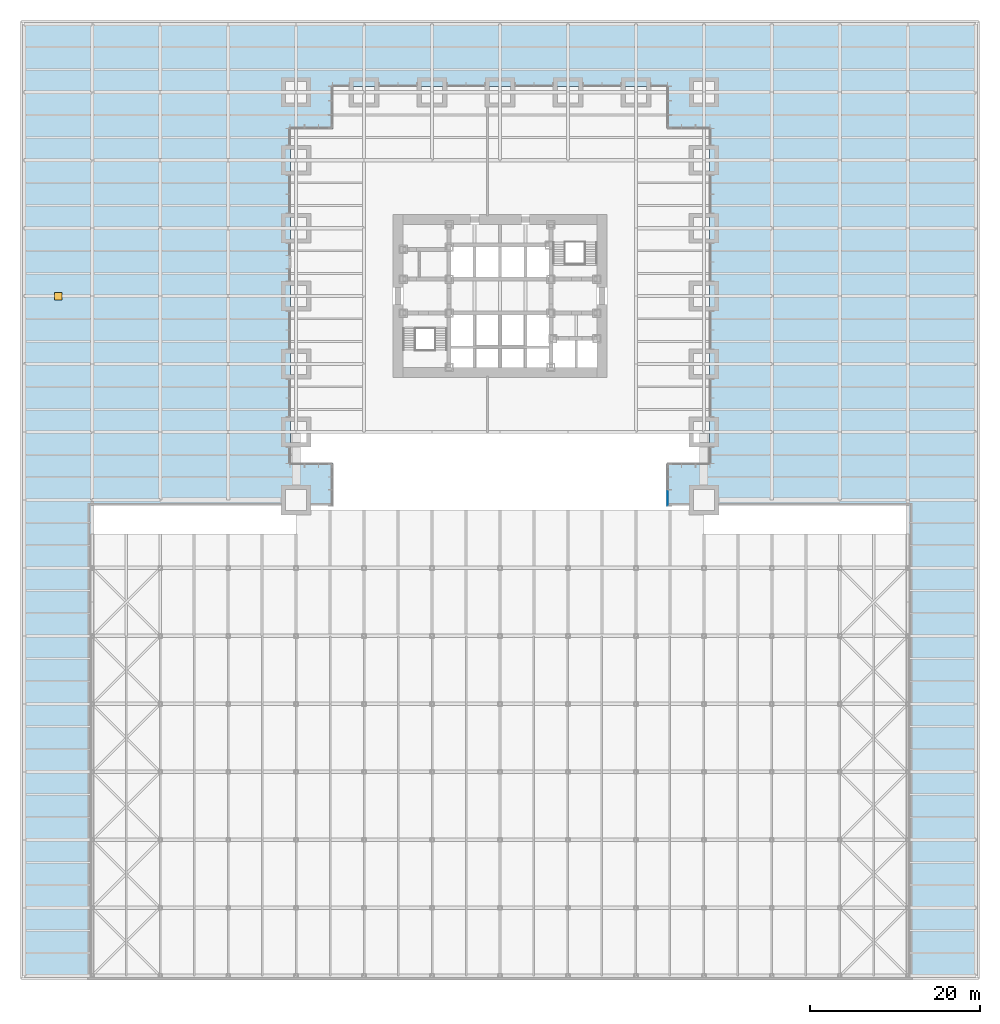
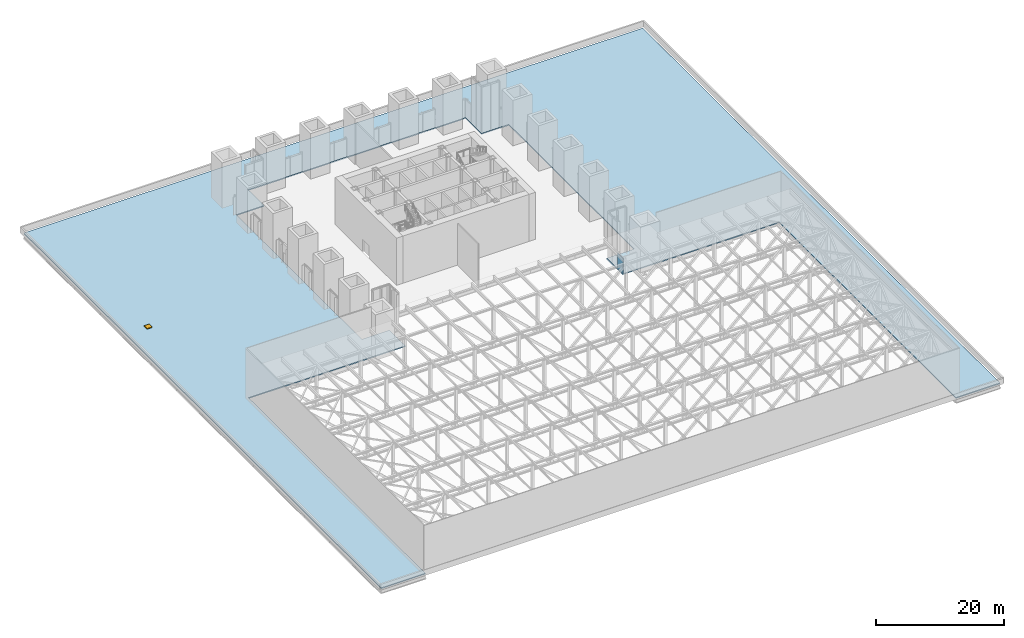
# One storey, part 13 of 20: 1 door, 1 plate, 1 slab, 1 opening, 1 element without a shape of its own.
"""IFC4 building model written with IfcOpenShell, lengths in metres."""

import ifcopenshell
import ifcopenshell.guid

model = None  # the IFC model being written
_history = None  # IfcOwnerHistory: only IFC2X3 demands one
_inside = {}  # id of a spatial element -> (the spatial element, [elements in it])
_under = {}  # id of a project, library or spatial element -> (it, [spatial elements below it])
_declared = {}  # id of a project -> (the project, [libraries it declares])
_typed = {}  # id of a type object -> (the type object, [elements of that type])
_made_of = {}  # id of a material, layer set ... -> (it, [elements and type objects made of it])


def new_model(schema):
    """Start an empty IFC model of exactly this schema.

    Asked for "IFC4X3", IfcOpenShell would pick the latest addendum, in which some entities
    have other attributes; the version numbers below select the first issue.
    IFC2X3 requires an IfcOwnerHistory on every rooted entity: one is made here for all.
    """
    global model, _history
    if schema == "IFC4X3":
        model = ifcopenshell.file(schema_version=(4, 3, 0, 0))
    else:
        model = ifcopenshell.file(schema=schema)
    _inside.clear()
    _under.clear()
    _declared.clear()
    _typed.clear()
    _made_of.clear()
    _history = None
    if model.schema == "IFC2X3":
        org = make("IfcOrganization", Name="unknown")
        user = make(
            "IfcPersonAndOrganization",
            ThePerson=make("IfcPerson", FamilyName="unknown"),
            TheOrganization=org,
        )
        app = make(
            "IfcApplication",
            ApplicationDeveloper=org,
            Version="unknown",
            ApplicationFullName="unknown",
            ApplicationIdentifier="unknown",
        )
        _history = make(
            "IfcOwnerHistory",
            OwningUser=user,
            OwningApplication=app,
            ChangeAction="ADDED",
            CreationDate=0,
        )
    return model


def make(cls, **values):
    """One entity of the class cls with the attributes given. An attribute that is None is left unset."""
    return model.create_entity(
        cls, **{name: value for name, value in values.items() if value is not None}
    )


def rooted(cls, **values):
    """An entity with a GlobalId (a new one), such as an element, a storey or a relation."""
    return make(cls, GlobalId=ifcopenshell.guid.new(), OwnerHistory=_history, **values)


def si_unit(unit_type, name, prefix=None):
    """IfcSIUnit, for example si_unit("LENGTHUNIT", "METRE", prefix="MILLI")."""
    return make("IfcSIUnit", UnitType=unit_type, Prefix=prefix, Name=name)


def assignment(units):
    """IfcUnitAssignment: the units of a project."""
    return None if units is None else make("IfcUnitAssignment", Units=units)


def point(xyz):
    """IfcCartesianPoint."""
    return None if xyz is None else make("IfcCartesianPoint", Coordinates=xyz)


def direction(xyz):
    """IfcDirection."""
    return None if xyz is None else make("IfcDirection", DirectionRatios=xyz)


def frame(location, z_axis=None, x_axis=None):
    """IfcAxis2Placement3D, a coordinate frame: its origin and axes. An axis left out is left unset."""
    return make(
        "IfcAxis2Placement3D",
        Location=point(location),
        Axis=direction(z_axis),
        RefDirection=direction(x_axis),
    )


def frame_2d(location, x_axis=None):
    """IfcAxis2Placement2D, a coordinate frame in the plane: its origin and x axis."""
    return make(
        "IfcAxis2Placement2D", Location=point(location), RefDirection=direction(x_axis)
    )


def origin():
    """The frame at (0, 0, 0) with its axes left unset."""
    return frame((0.0, 0.0, 0.0))


def origin_2d():
    """The frame at (0, 0) in the plane with its x axis left unset."""
    return frame_2d((0.0, 0.0))


def place(relative_to, where):
    """IfcLocalPlacement: puts the frame where relative to a parent placement (None: the world)."""
    return make(
        "IfcLocalPlacement", PlacementRelTo=relative_to, RelativePlacement=where
    )


def context(
    kind, dimensions, precision=None, world=None, true_north=None, identifier=None
):
    """IfcGeometricRepresentationContext, for example the 3D "Model" context."""
    return make(
        "IfcGeometricRepresentationContext",
        ContextIdentifier=identifier,
        ContextType=kind,
        CoordinateSpaceDimension=dimensions,
        Precision=precision,
        WorldCoordinateSystem=world,
        TrueNorth=true_north,
    )


def subcontext(parent, identifier, kind, view, scale=None):
    """IfcGeometricRepresentationSubContext, for example "Body" below "Model"."""
    return make(
        "IfcGeometricRepresentationSubContext",
        ContextIdentifier=identifier,
        ContextType=kind,
        ParentContext=parent,
        TargetScale=scale,
        TargetView=view,
    )


def project(units=None, contexts=None):
    """IfcProject with its units and contexts."""
    return rooted(
        "IfcProject",
        Name="project",
        RepresentationContexts=contexts,
        UnitsInContext=assignment(units),
    )


def spatial(cls, under=None, at=None, **own):
    """A site, building, storey or space (cls), placed at a placement, below another one or the project."""
    s = rooted(cls, ObjectPlacement=at, **own)
    if under is not None:
        _under.setdefault(under.id(), (under, []))[1].append(s)
    return s


def polyline(points):
    """IfcPolyline through the points."""
    return make("IfcPolyline", Points=[point(p) for p in points])


def profile(cls, at=None, kind="AREA", **sizes):
    """A parametric profile (cls). Its sizes go by their IFC names, for example OverallWidth=200.0."""
    return make(cls, ProfileType=kind, Position=at, **sizes)


def rectangle(**sizes):
    """IfcRectangleProfileDef."""
    return profile("IfcRectangleProfileDef", **sizes)


def outline(outer, holes=None, kind="AREA"):
    """IfcArbitraryClosedProfileDef: a profile drawn as a closed curve; with holes, ...WithVoids."""
    if holes is None:
        return make("IfcArbitraryClosedProfileDef", ProfileType=kind, OuterCurve=outer)
    return make(
        "IfcArbitraryProfileDefWithVoids",
        ProfileType=kind,
        OuterCurve=outer,
        InnerCurves=holes,
    )


def extrude(swept, where, along, depth):
    """IfcExtrudedAreaSolid: the profile swept, set in the frame where, extruded along a direction by depth."""
    return make(
        "IfcExtrudedAreaSolid",
        SweptArea=swept,
        Position=where,
        ExtrudedDirection=direction(along),
        Depth=depth,
    )


def shape(context_of_items, identifier, shape_type, items):
    """IfcShapeRepresentation: the items that make up one representation, for example the "Body"."""
    return make(
        "IfcShapeRepresentation",
        ContextOfItems=context_of_items,
        RepresentationIdentifier=identifier,
        RepresentationType=shape_type,
        Items=items,
    )


def material(Name=None, Category=None):
    """IfcMaterial."""
    return make("IfcMaterial", Name=Name, Category=Category)


def layer(
    of_material, thickness, ventilated=None, Name=None, Category=None, Priority=None
):
    """IfcMaterialLayer: one layer of a wall or slab, of a material (None: an air gap)."""
    return make(
        "IfcMaterialLayer",
        Material=of_material,
        LayerThickness=thickness,
        IsVentilated=ventilated,
        Name=Name,
        Category=Category,
        Priority=Priority,
    )


def layer_set(layers, Name=None):
    """IfcMaterialLayerSet."""
    return make("IfcMaterialLayerSet", MaterialLayers=layers, LayerSetName=Name)


def made_of(thing, what):
    """Note that an element or type object is made of a material, layer set ...; save() writes the relation."""
    if what is not None:
        _made_of.setdefault(what.id(), (what, []))[1].append(thing)
    return thing


def type_object(cls, material=None, **own):
    """A type object (cls), such as IfcWallType, which elements share."""
    return made_of(rooted(cls, **own), material)


def element(
    cls,
    number,
    at=None,
    inside=None,
    cuts=None,
    type_object=None,
    material=None,
    context=None,
    identifier="Body",
    shape_type=None,
    held_by="IfcProductDefinitionShape",
    body=None,
    shapes=None,
    **own,
):
    """One element of the class cls, such as IfcWall. Its Tag is "e" and its number.

    at: its placement. inside: the storey or other place that contains it. cuts: it is an
    opening in that element (IfcRelVoidsElement). A single representation is given by context,
    identifier, shape_type and body (its items); several are given by shapes. held_by: the class
    of the entity that holds the representations. save() writes the other relations.
    """
    e = rooted(cls, Tag="e%d" % number, ObjectPlacement=at, **own)
    if body is not None:
        shapes = [shape(context, identifier, shape_type, body)]
    if shapes is not None:
        e.Representation = make(held_by, Representations=shapes)
    if inside is not None:
        _inside.setdefault(inside.id(), (inside, []))[1].append(e)
    if cuts is not None:
        rooted(
            "IfcRelVoidsElement", RelatingBuildingElement=cuts, RelatedOpeningElement=e
        )
    if type_object is not None:
        _typed.setdefault(type_object.id(), (type_object, []))[1].append(e)
    return made_of(e, material)


def fill(opening, filler):
    """IfcRelFillsElement: the door or window that sits in an opening."""
    return rooted(
        "IfcRelFillsElement",
        RelatingOpeningElement=opening,
        RelatedBuildingElement=filler,
    )


def aggregate(whole, parts):
    """IfcRelAggregates: a whole, such as a stair, and the parts it consists of."""
    return rooted("IfcRelAggregates", RelatingObject=whole, RelatedObjects=parts)


def save(model, path):
    """Write the relations noted so far, then the file.

    IfcRelAggregates (storeys below a building ...), IfcRelContainedInSpatialStructure (elements
    in a storey), IfcRelDefinesByType, IfcRelAssociatesMaterial and IfcRelDeclares: one each for
    every whole, place, type object, material and project.
    """
    for whole, parts in _under.values():
        aggregate(whole, parts)
    for where, things in _inside.values():
        rooted(
            "IfcRelContainedInSpatialStructure",
            RelatedElements=things,
            RelatingStructure=where,
        )
    for kind, things in _typed.values():
        rooted("IfcRelDefinesByType", RelatedObjects=things, RelatingType=kind)
    for what, things in _made_of.values():
        rooted("IfcRelAssociatesMaterial", RelatedObjects=things, RelatingMaterial=what)
    for by, libraries in _declared.values():
        rooted("IfcRelDeclares", RelatingContext=by, RelatedDefinitions=libraries)
    model.write(path)


model = new_model("IFC4")

# Units and contexts
model_context = context("Model", 3, precision=1e-05, world=origin(), true_north=direction((0.0, 1.0)))
body_context = subcontext(model_context, "Body", "Model", "MODEL_VIEW")
ifc_project = project(units=[si_unit("LENGTHUNIT", "METRE"), si_unit("AREAUNIT", "SQUARE_METRE"), si_unit("VOLUMEUNIT", "CUBIC_METRE"), si_unit("PLANEANGLEUNIT", "RADIAN"), si_unit("MASSUNIT", "GRAM", prefix="KILO")], contexts=[model_context])

# Site, building, storey
site_placement = place(None, origin())
site = spatial("IfcSite", under=ifc_project, at=site_placement, CompositionType="ELEMENT")
building_placement = place(site_placement, origin())
building = spatial("IfcBuilding", under=site, at=building_placement, Name="Daluyong Arena Tower", CompositionType="ELEMENT")
storey_placement = place(building_placement, frame((0.0, 0.0, 25.89990234375)))
storey = spatial("IfcBuildingStorey", under=building, at=storey_placement, Name="L05", CompositionType="ELEMENT", Elevation=25.89990234375)

# Curtain wall, plate
ifc_material_1 = material(Name="Bronze anodised aluminium and glass", Category="aluminium")
curtain_wall_type = type_object("IfcCurtainWallType", Name="Curtain wall CW6", PredefinedType="USERDEFINED", material=ifc_material_1)
curtain_wall_placement = place(storey_placement, origin())
curtain_wall = element("IfcCurtainWall", 1, at=curtain_wall_placement, inside=storey, type_object=curtain_wall_type, Name="curtain wall L05 SE-E bay 1", ObjectType="UNITISED CURTAIN WALL", PredefinedType="USERDEFINED")
ifc_material_2 = material(Name="Bronze aluminium louvre panel", Category="aluminium")
ifc_layer_1 = layer(ifc_material_2, 0.050048828125)
ifc_layer_set_1 = layer_set([ifc_layer_1], Name="Bronze aluminium louvre panel")
plate_type = type_object("IfcPlateType", Name="CW6 panel 50", PredefinedType="CURTAIN_PANEL", material=ifc_layer_set_1)
plate_placement = place(storey_placement, frame((75.75, 56.22509765625, 0.0), z_axis=(0.0, 0.0, 1.0), x_axis=(0.0, 1.0, 0.0)))
plate = element("IfcPlate", 2, at=plate_placement, type_object=plate_type, Name="curtain wall L05 SE-E bay 1 panel 1", PredefinedType="CURTAIN_PANEL", context=body_context, shape_type="SweptSolid", body=[
    extrude(rectangle(XDim=1.7900390625, YDim=0.050048828125, at=origin_2d()), origin(), (0.0, 0.0, 1.0), 3.0),
])
aggregate(curtain_wall, [plate])

# Slab, opening, door
ifc_material_3 = material(Name="Concrete fc' 35 MPa", Category="concrete")
ifc_layer_2 = layer(ifc_material_3, 0.199951171875)
ifc_layer_set_2 = layer_set([ifc_layer_2], Name="Concrete fc' 35 MPa")
slab_type = type_object("IfcSlabType", Name="Podium roof slab 200", PredefinedType="ROOF", material=ifc_layer_set_2)
slab_placement = place(storey_placement, frame((0.0, 0.0, -0.199951171875)))
slab = element("IfcSlab", 3, at=slab_placement, inside=storey, type_object=slab_type, Name="podium roof", PredefinedType="ROOF", context=body_context, shape_type="SweptSolid", body=[
    extrude(outline(polyline([(0.0, 112.0), (0.0, 0.0), (8.0, 0.0), (8.0, 55.39990234375), (36.35009765625, 55.39990234375), (36.35009765625, 60.35009765625), (31.35009765625, 60.35009765625), (31.35009765625, 99.64990234375), (36.35009765625, 99.64990234375), (36.35009765625, 104.64990234375), (75.64990234375, 104.64990234375), (75.64990234375, 99.64990234375), (80.64990234375, 99.64990234375), (80.64990234375, 60.35009765625), (75.64990234375, 60.35009765625), (75.64990234375, 55.39990234375), (104.0, 55.39990234375), (104.0, 0.0), (112.0, 0.0), (112.0, 112.0), (0.0, 112.0)])), origin(), (0.0, 0.0, 1.0), 0.199951171875),
])
opening_placement = place(slab_placement, frame((4.0, 80.0, -0.010009765625)))
opening = element("IfcOpeningElement", 4, at=opening_placement, cuts=slab, Name="Opening RH1", PredefinedType="OPENING", context=body_context, shape_type="SweptSolid", body=[
    extrude(rectangle(XDim=0.89990234375, YDim=0.89990234375, at=origin_2d()), origin(), (0.0, 0.0, 1.0), 0.369873046875),
])
ifc_material_4 = material(Name="Aluminium roof hatch", Category="aluminium")
door_type = type_object("IfcDoorType", Name="Roof access hatch 900", OperationType="SINGLE_SWING_LEFT", PredefinedType="TRAPDOOR", material=ifc_material_4)
door_placement = place(opening_placement, frame((0.0, 0.0, 0.2099609375)))
door = element("IfcDoor", 5, at=door_placement, inside=storey, type_object=door_type, Name="podium roof access hatch", OperationType="SINGLE_SWING_LEFT", OverallHeight=0.89990234375, OverallWidth=0.89990234375, PredefinedType="TRAPDOOR", context=body_context, shape_type="SweptSolid", body=[
    extrude(rectangle(XDim=0.89990234375, YDim=0.89990234375, at=origin_2d()), origin(), (0.0, 0.0, 1.0), 0.14990234375),
])
fill(opening, door)

save(model, "model.ifc")
